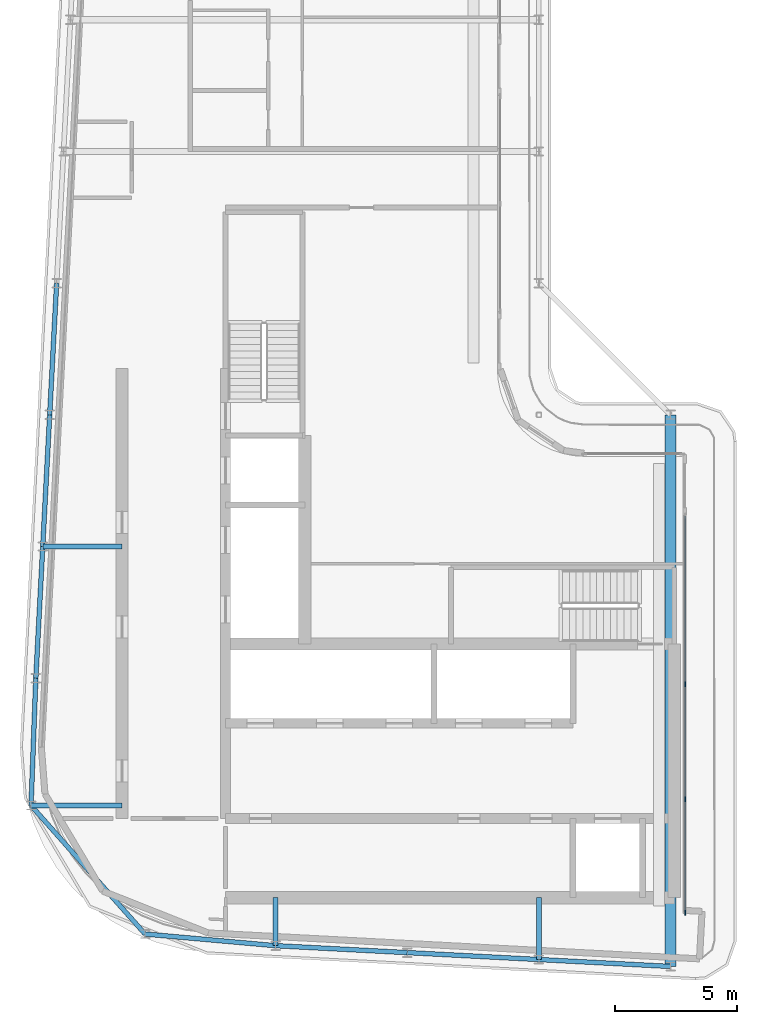
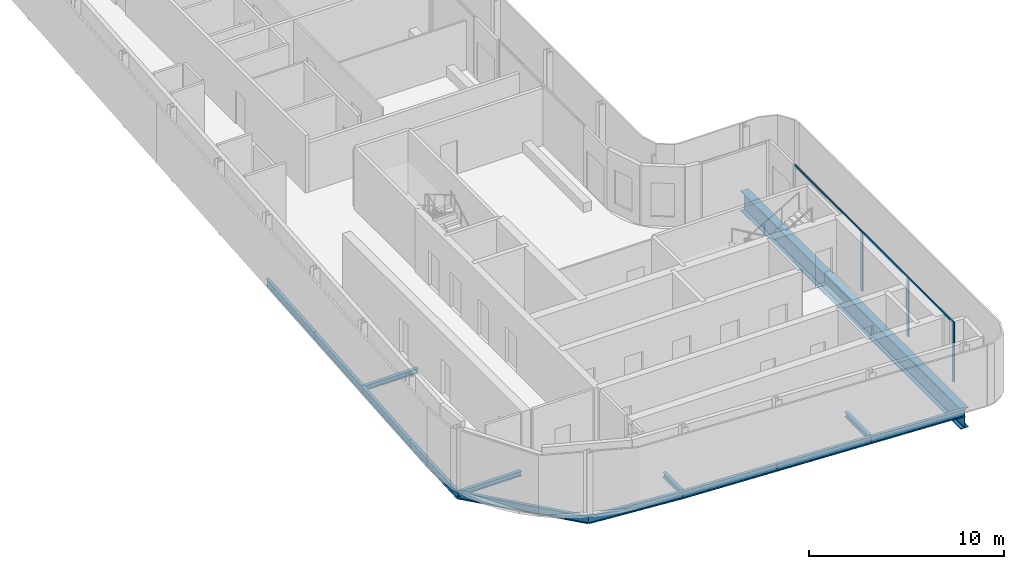
# One storey, part 4 of 19: 14 beams, 5 members, 2 elements without a shape of their own.
"""IFC4 building model written with IfcOpenShell, lengths in metres."""

from ifc_helpers import new_model, si_unit, direction, frame, origin, origin_2d, place, context, subcontext, project, spatial, rectangle, i_section, extrude, material, layer, layer_set, material_profile, profile_set, type_object, element, aggregate, save


model = new_model("IFC4")

# Units and contexts
model_context = context("Model", 3, precision=1e-05, world=origin(), true_north=direction((0.0, 1.0)))
body_context = subcontext(model_context, "Body", "Model", "MODEL_VIEW")
ifc_project = project(units=[si_unit("LENGTHUNIT", "METRE"), si_unit("AREAUNIT", "SQUARE_METRE"), si_unit("VOLUMEUNIT", "CUBIC_METRE"), si_unit("PLANEANGLEUNIT", "RADIAN"), si_unit("MASSUNIT", "GRAM", prefix="KILO")], contexts=[model_context])

# Site, building, storey
site_placement = place(None, origin())
site = spatial("IfcSite", under=ifc_project, at=site_placement, CompositionType="ELEMENT")
building_placement = place(site_placement, origin())
building = spatial("IfcBuilding", under=site, at=building_placement, Name="Kheshtan School and Residences Tower", CompositionType="ELEMENT")
storey_placement = place(building_placement, frame((0.0, 0.0, 353.89990234375)))
storey = spatial("IfcBuildingStorey", under=building, at=storey_placement, Name="L83", CompositionType="ELEMENT", Elevation=353.89990234375)

# Beams
ifc_material_1 = material(Name="Steel ASTM A992 Grade 50", Category="steel")
ifc_material_profile_1 = material_profile(ifc_material_1, i_section(OverallWidth=0.202880859375, OverallDepth=0.302978515625, WebThickness=0.007568359375, FlangeThickness=0.01318359375, FilletRadius=0.009033203125, at=origin_2d()), Name="W310x60")
ifc_profile_set_1 = profile_set([ifc_material_profile_1], Name="Steel ASTM A992 Grade 50")
beam_type_1 = type_object("IfcBeamType", Name="Beam FB1 W310x60 ASTM A992 Grade 50", PredefinedType="BEAM", material=ifc_profile_set_1)
beam_1_placement = place(storey_placement, frame((47.60009765625, 23.263916015625, -0.301513671875), z_axis=(0.0, 1.0, 0.0), x_axis=(-1.0, 0.0, 0.0)))
element("IfcBeam", 1, at=beam_1_placement, inside=storey, type_object=beam_type_1, Name="Floor beam C020", PredefinedType="BEAM", context=body_context, shape_type="SweptSolid", body=[
    extrude(i_section(OverallWidth=0.202880859375, OverallDepth=0.302978515625, WebThickness=0.007568359375, FlangeThickness=0.01318359375, FilletRadius=0.009033203125, at=origin_2d()), origin(), (0.0, 0.0, 1.0), 2.5361328125),
])
beam_2_placement = place(storey_placement, frame((36.800048828125, 23.83203125, -0.301513671875), z_axis=(0.0, 1.0, 0.0), x_axis=(-1.0, 0.0, 0.0)))
element("IfcBeam", 2, at=beam_2_placement, inside=storey, type_object=beam_type_1, Name="Floor beam C022", PredefinedType="BEAM", context=body_context, shape_type="SweptSolid", body=[
    extrude(i_section(OverallWidth=0.202880859375, OverallDepth=0.302978515625, WebThickness=0.007568359375, FlangeThickness=0.01318359375, FilletRadius=0.009033203125, at=origin_2d()), origin(), (0.0, 0.0, 1.0), 1.968017578125),
])
beam_3_placement = place(storey_placement, frame((26.77294921875, 29.5791015625, -0.301513671875), z_axis=(1.0, 0.0, 0.0), x_axis=(0.0, 1.0, 0.0)))
element("IfcBeam", 3, at=beam_3_placement, inside=storey, type_object=beam_type_1, Name="Floor beam C047", PredefinedType="BEAM", context=body_context, shape_type="SweptSolid", body=[
    extrude(i_section(OverallWidth=0.202880859375, OverallDepth=0.302978515625, WebThickness=0.007568359375, FlangeThickness=0.01318359375, FilletRadius=0.009033203125, at=origin_2d()), origin(), (0.0, 0.0, 1.0), 3.72705078125),
])
beam_4_placement = place(storey_placement, frame((27.2529296875, 40.199951171875, -0.301513671875), z_axis=(1.0, 0.0, 0.0), x_axis=(0.0, 1.0, 0.0)))
element("IfcBeam", 4, at=beam_4_placement, inside=storey, type_object=beam_type_1, Name="Floor beam C056", PredefinedType="BEAM", context=body_context, shape_type="SweptSolid", body=[
    extrude(i_section(OverallWidth=0.202880859375, OverallDepth=0.302978515625, WebThickness=0.007568359375, FlangeThickness=0.01318359375, FilletRadius=0.009033203125, at=origin_2d()), origin(), (0.0, 0.0, 1.0), 3.2470703125),
])
ifc_material_profile_2 = material_profile(ifc_material_1, i_section(OverallWidth=0.18994140625, OverallDepth=0.45703125, WebThickness=0.009033203125, FlangeThickness=0.014404296875, FilletRadius=0.01318359375, at=origin_2d()), Name="W460x74")
ifc_profile_set_2 = profile_set([ifc_material_profile_2], Name="Steel ASTM A992 Grade 50")
beam_type_2 = type_object("IfcBeamType", Name="Beam SP4 W460x74 ASTM A992 Grade 50", PredefinedType="BEAM", material=ifc_profile_set_2)
beam_5_placement = place(storey_placement, frame((53.0, 22.97998046875, -0.37841796875), z_axis=(-0.998620447272, 0.05250906864, 0.0), x_axis=(-0.05250906864, -0.998620447272, 0.0)))
element("IfcBeam", 5, at=beam_5_placement, inside=storey, type_object=beam_type_2, Name="Spandrel beam C019-C020", PredefinedType="BEAM", context=body_context, shape_type="SweptSolid", body=[
    extrude(i_section(OverallWidth=0.18994140625, OverallDepth=0.45703125, WebThickness=0.009033203125, FlangeThickness=0.014404296875, FilletRadius=0.01318359375, at=origin_2d()), origin(), (0.0, 0.0, 1.0), 5.407470703125),
])
beam_6_placement = place(storey_placement, frame((47.60009765625, 23.263916015625, -0.37841796875), z_axis=(-0.998618203458, 0.052551724256, 0.0), x_axis=(-0.052551724256, -0.998618203458, 0.0)))
element("IfcBeam", 6, at=beam_6_placement, inside=storey, type_object=beam_type_2, Name="Spandrel beam C020-C021", PredefinedType="BEAM", context=body_context, shape_type="SweptSolid", body=[
    extrude(i_section(OverallWidth=0.18994140625, OverallDepth=0.45703125, WebThickness=0.009033203125, FlangeThickness=0.014404296875, FilletRadius=0.01318359375, at=origin_2d()), origin(), (0.0, 0.0, 1.0), 5.40771484375),
])
beam_7_placement = place(storey_placement, frame((42.199951171875, 23.548095703125, -0.37841796875), z_axis=(-0.998620447272, 0.05250906864, 0.0), x_axis=(-0.05250906864, -0.998620447272, 0.0)))
element("IfcBeam", 7, at=beam_7_placement, inside=storey, type_object=beam_type_2, Name="Spandrel beam C021-C022", PredefinedType="BEAM", context=body_context, shape_type="SweptSolid", body=[
    extrude(i_section(OverallWidth=0.18994140625, OverallDepth=0.45703125, WebThickness=0.009033203125, FlangeThickness=0.014404296875, FilletRadius=0.01318359375, at=origin_2d()), origin(), (0.0, 0.0, 1.0), 5.407470703125),
])
beam_8_placement = place(storey_placement, frame((36.800048828125, 23.83203125, -0.37841796875), z_axis=(-0.996032095544, 0.088994745052, 0.0), x_axis=(-0.088994745052, -0.996032095544, 0.0)))
element("IfcBeam", 8, at=beam_8_placement, inside=storey, type_object=beam_type_2, Name="Spandrel beam C022-C035", PredefinedType="BEAM", context=body_context, shape_type="SweptSolid", body=[
    extrude(i_section(OverallWidth=0.18994140625, OverallDepth=0.45703125, WebThickness=0.009033203125, FlangeThickness=0.014404296875, FilletRadius=0.01318359375, at=origin_2d()), origin(), (0.0, 0.0, 1.0), 5.371337890625),
])
beam_9_placement = place(storey_placement, frame((31.449951171875, 24.31005859375, -0.37841796875), z_axis=(-0.663841018675, 0.747873720574, 0.0), x_axis=(-0.747873720574, -0.663841018675, 0.0)))
element("IfcBeam", 9, at=beam_9_placement, inside=storey, type_object=beam_type_2, Name="Spandrel beam C035-C047", PredefinedType="BEAM", context=body_context, shape_type="SweptSolid", body=[
    extrude(i_section(OverallWidth=0.18994140625, OverallDepth=0.45703125, WebThickness=0.009033203125, FlangeThickness=0.014404296875, FilletRadius=0.01318359375, at=origin_2d()), origin(), (0.0, 0.0, 1.0), 7.04541015625),
])
beam_10_placement = place(storey_placement, frame((26.77294921875, 29.5791015625, -0.37841796875), z_axis=(0.03752324019, 0.999295755242, 0.0), x_axis=(-0.999295755242, 0.03752324019, 0.0)))
element("IfcBeam", 10, at=beam_10_placement, inside=storey, type_object=beam_type_2, Name="Spandrel beam C047-C052", PredefinedType="BEAM", context=body_context, shape_type="SweptSolid", body=[
    extrude(i_section(OverallWidth=0.18994140625, OverallDepth=0.45703125, WebThickness=0.009033203125, FlangeThickness=0.014404296875, FilletRadius=0.01318359375, at=origin_2d()), origin(), (0.0, 0.0, 1.0), 5.224609375),
])
beam_11_placement = place(storey_placement, frame((26.968994140625, 34.800048828125, -0.37841796875), z_axis=(0.05250906864, 0.998620447272, 0.0), x_axis=(-0.998620447272, 0.05250906864, 0.0)))
element("IfcBeam", 11, at=beam_11_placement, inside=storey, type_object=beam_type_2, Name="Spandrel beam C052-C056", PredefinedType="BEAM", context=body_context, shape_type="SweptSolid", body=[
    extrude(i_section(OverallWidth=0.18994140625, OverallDepth=0.45703125, WebThickness=0.009033203125, FlangeThickness=0.014404296875, FilletRadius=0.01318359375, at=origin_2d()), origin(), (0.0, 0.0, 1.0), 5.407470703125),
])
beam_12_placement = place(storey_placement, frame((27.2529296875, 40.199951171875, -0.37841796875), z_axis=(0.052551724256, 0.998618203458, 0.0), x_axis=(-0.998618203458, 0.052551724256, 0.0)))
element("IfcBeam", 12, at=beam_12_placement, inside=storey, type_object=beam_type_2, Name="Spandrel beam C056-C059", PredefinedType="BEAM", context=body_context, shape_type="SweptSolid", body=[
    extrude(i_section(OverallWidth=0.18994140625, OverallDepth=0.45703125, WebThickness=0.009033203125, FlangeThickness=0.014404296875, FilletRadius=0.01318359375, at=origin_2d()), origin(), (0.0, 0.0, 1.0), 5.40771484375),
])
beam_13_placement = place(storey_placement, frame((27.537109375, 45.60009765625, -0.37841796875), z_axis=(0.052689166816, 0.998610961136, 0.0), x_axis=(-0.998610961136, 0.052689166816, 0.0)))
element("IfcBeam", 13, at=beam_13_placement, inside=storey, type_object=beam_type_2, Name="Spandrel beam C059-C078", PredefinedType="BEAM", context=body_context, shape_type="SweptSolid", body=[
    extrude(i_section(OverallWidth=0.18994140625, OverallDepth=0.45703125, WebThickness=0.009033203125, FlangeThickness=0.014404296875, FilletRadius=0.01318359375, at=origin_2d()), origin(), (0.0, 0.0, 1.0), 5.407470703125),
])

# Curtain wall, member
ifc_material_2 = material(Name="Clear low-e glass in thermally broken aluminium frame", Category="aluminium")
ifc_layer = layer(ifc_material_2, 0.199951171875)
ifc_layer_set = layer_set([ifc_layer], Name="Curtain wall CW-L")
curtain_wall_type = type_object("IfcCurtainWallType", Name="Curtain wall CW-L", PredefinedType="NOTDEFINED", material=ifc_layer_set)
curtain_wall_1_placement = place(storey_placement, origin())
curtain_wall_1 = element("IfcCurtainWall", 14, at=curtain_wall_1_placement, inside=storey, type_object=curtain_wall_type, Name="Curtain wall CWL9e", PredefinedType="NOTDEFINED")
ifc_material_3 = material(Name="Thermally broken aluminium, dark bronze anodised", Category="aluminium")
ifc_material_profile_3 = material_profile(ifc_material_3, rectangle(XDim=0.06005859375, YDim=0.199951171875, at=origin_2d()), Name="CW-L mullion 60x200")
ifc_profile_set_3 = profile_set([ifc_material_profile_3], Name="Thermally broken aluminium, dark bronze anodised")
member_type_1 = type_object("IfcMemberType", Name="CW-L mullion 60x200", PredefinedType="MULLION", material=ifc_profile_set_3)
member_1_placement = place(storey_placement, frame((53.60009765625, 34.55810546875, 0.0), z_axis=(0.0, 0.0, 1.0), x_axis=(1.0, 0.0, 0.0)))
member_1 = element("IfcMember", 15, at=member_1_placement, type_object=member_type_1, Name="CWL9e mullion 2", PredefinedType="MULLION", context=body_context, shape_type="SweptSolid", body=[
    extrude(rectangle(XDim=0.06005859375, YDim=0.199951171875, at=origin_2d()), origin(), (0.0, 0.0, 1.0), 3.75),
])

# Curtain wall, members
curtain_wall_2_placement = place(storey_placement, origin())
curtain_wall_2 = element("IfcCurtainWall", 16, at=curtain_wall_2_placement, inside=storey, type_object=curtain_wall_type, Name="Curtain wall CWL9d", PredefinedType="NOTDEFINED")
member_2_placement = place(storey_placement, frame((53.60009765625, 29.842041015625, 0.0), z_axis=(0.0, 0.0, 1.0), x_axis=(1.0, 0.0, 0.0)))
member_2 = element("IfcMember", 17, at=member_2_placement, type_object=member_type_1, Name="CWL9d mullion 2", PredefinedType="MULLION", context=body_context, shape_type="SweptSolid", body=[
    extrude(rectangle(XDim=0.06005859375, YDim=0.199951171875, at=origin_2d()), origin(), (0.0, 0.0, 1.0), 3.630126953125),
])
member_3_placement = place(storey_placement, frame((53.60009765625, 25.18603515625, 0.0), z_axis=(0.0, 0.0, 1.0), x_axis=(1.0, 0.0, 0.0)))
member_3 = element("IfcMember", 18, at=member_3_placement, type_object=member_type_1, Name="CWL9d mullion 3", PredefinedType="MULLION", context=body_context, shape_type="SweptSolid", body=[
    extrude(rectangle(XDim=0.06005859375, YDim=0.199951171875, at=origin_2d()), origin(), (0.0, 0.0, 1.0), 3.75),
])

# Member
ifc_material_profile_4 = material_profile(ifc_material_3, rectangle(XDim=0.06005859375, YDim=0.1201171875, at=origin_2d()), Name="CW-L transom 60x120")
ifc_profile_set_4 = profile_set([ifc_material_profile_4], Name="Thermally broken aluminium, dark bronze anodised")
member_type_2 = type_object("IfcMemberType", Name="CW-L transom 60x120", PredefinedType="USERDEFINED", material=ifc_profile_set_4)
member_4_placement = place(storey_placement, frame((53.60009765625, 41.43994140625, 3.690185546875), z_axis=(0.0, -1.0, 0.0), x_axis=(1.0, 0.0, 0.0)))
member_4 = element("IfcMember", 19, at=member_4_placement, type_object=member_type_2, Name="CWL9e transom 1", ObjectType="TRANSOM", PredefinedType="USERDEFINED", context=body_context, shape_type="SweptSolid", body=[
    extrude(rectangle(XDim=0.06005859375, YDim=0.1201171875, at=origin_2d()), origin(), (0.0, 0.0, 1.0), 6.85205078125),
])

aggregate(curtain_wall_1, [member_1, member_4])

member_5_placement = place(storey_placement, frame((53.60009765625, 34.528076171875, 3.690185546875), z_axis=(0.0, -1.0, 0.0), x_axis=(1.0, 0.0, 0.0)))
member_5 = element("IfcMember", 20, at=member_5_placement, type_object=member_type_2, Name="CWL9d transom 1", ObjectType="TRANSOM", PredefinedType="USERDEFINED", context=body_context, shape_type="SweptSolid", body=[
    extrude(rectangle(XDim=0.06005859375, YDim=0.1201171875, at=origin_2d()), origin(), (0.0, 0.0, 1.0), 9.31201171875),
])

aggregate(curtain_wall_2, [member_2, member_3, member_5])

# Beam
ifc_material_profile_5 = material_profile(ifc_material_1, i_section(OverallWidth=0.449951171875, OverallDepth=1.25, WebThickness=0.02490234375, FlangeThickness=0.044921875, FilletRadius=0.03759765625, at=origin_2d()), Name="WWF1250x546")
ifc_profile_set_5 = profile_set([ifc_material_profile_5], Name="Steel ASTM A992 Grade 50")
beam_type_3 = type_object("IfcBeamType", Name="Transfer girder TG4 WWF1250x546 ASTM A992 Grade 50", PredefinedType="BEAM", material=ifc_profile_set_5)
beam_14_placement = place(storey_placement, frame((53.0, 45.60009765625, -0.77490234375), z_axis=(0.0, -1.0, 0.0), x_axis=(1.0, 0.0, 0.0)))
element("IfcBeam", 21, at=beam_14_placement, inside=storey, type_object=beam_type_3, Name="Transfer girder C061-C019", PredefinedType="BEAM", context=body_context, shape_type="SweptSolid", body=[
    extrude(i_section(OverallWidth=0.449951171875, OverallDepth=1.25, WebThickness=0.02490234375, FlangeThickness=0.044921875, FilletRadius=0.03759765625, at=origin_2d()), origin(), (0.0, 0.0, 1.0), 22.6201171875),
])

save(model, "model.ifc")
